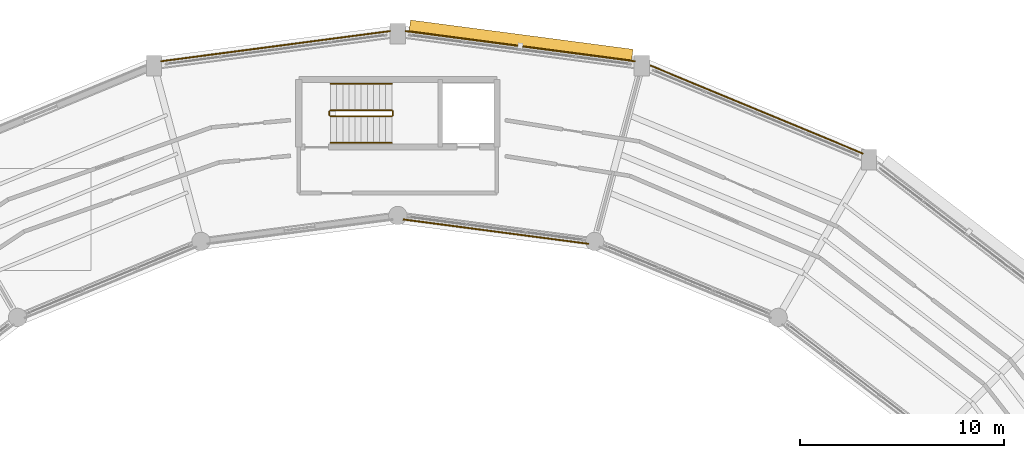
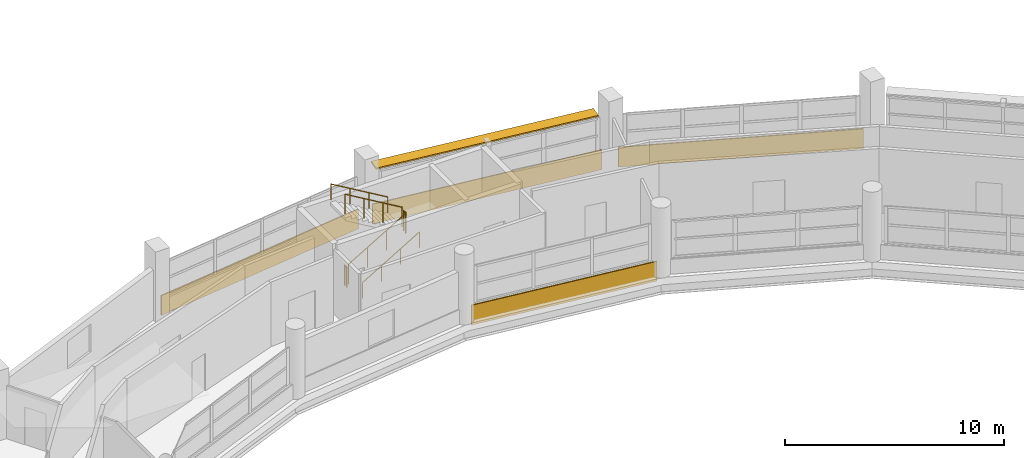
# One storey, part 106 of 108: 6 railings, 4 coverings, 1 shading device.
"""IFC4 building model written with IfcOpenShell, lengths in metres."""

from ifc_helpers import new_model, si_unit, direction, frame, frame_2d, origin, origin_2d, place, context, subcontext, project, spatial, rectangle, circle, extrude, material, layer, layer_set, type_object, element, save


model = new_model("IFC4")

# Units and contexts
model_context = context("Model", 3, precision=1e-05, world=origin(), true_north=direction((0.0, 1.0)))
body_context = subcontext(model_context, "Body", "Model", "MODEL_VIEW")
ifc_project = project(units=[si_unit("LENGTHUNIT", "METRE"), si_unit("AREAUNIT", "SQUARE_METRE"), si_unit("VOLUMEUNIT", "CUBIC_METRE"), si_unit("PLANEANGLEUNIT", "RADIAN"), si_unit("MASSUNIT", "GRAM", prefix="KILO")], contexts=[model_context])

# Site, building, storey
site_placement = place(None, origin())
site = spatial("IfcSite", under=ifc_project, at=site_placement, CompositionType="ELEMENT")
building_placement = place(site_placement, origin())
building = spatial("IfcBuilding", under=site, at=building_placement, Name="Vespera Passage Community Centre", CompositionType="ELEMENT")
storey_placement = place(building_placement, frame((0.0, 0.0, 12.60009765625)))
storey = spatial("IfcBuildingStorey", under=building, at=storey_placement, Name="L03", CompositionType="ELEMENT", Elevation=12.60009765625)

# Coverings
ifc_material_1 = material(Name="Precast concrete f'c 40 MPa", Category="concrete")
ifc_layer = layer(ifc_material_1, 0.06005859375)
ifc_layer_set = layer_set([ifc_layer], Name="Precast concrete f'c 40 MPa")
covering_type = type_object("IfcCoveringType", Name="COV-CLAD-60E", PredefinedType="CLADDING", material=ifc_layer_set)
covering_1_placement = place(storey_placement, frame((90.3486328125, 110.04052734375, -0.280029296875), z_axis=(0.0, 0.0, 1.0), x_axis=(0.923883530636, -0.382673779896, 0.0)))
element("IfcCovering", 1, at=covering_1_placement, inside=storey, type_object=covering_type, Name="V4 L03 Outer White Spandrel Band O4", PredefinedType="CLADDING", context=body_context, shape_type="SweptSolid", body=[
    extrude(rectangle(XDim=11.2724609375, YDim=0.06005859375, at=frame_2d((5.63623046875, 0.0))), origin(), (0.0, 0.0, 1.0), 1.099853515625),
])
covering_2_placement = place(storey_placement, frame((78.372314453125, 111.722412109375, -0.280029296875), z_axis=(0.0, 0.0, 1.0), x_axis=(0.991446004399, -0.130517509785, 0.0)))
element("IfcCovering", 2, at=covering_2_placement, inside=storey, type_object=covering_type, Name="V4 L03 Outer White Spandrel Band O5", PredefinedType="CLADDING", context=body_context, shape_type="SweptSolid", body=[
    extrude(rectangle(XDim=11.328125, YDim=0.06005859375, at=frame_2d((5.6640625, 0.0))), origin(), (0.0, 0.0, 1.0), 1.099853515625),
])
covering_3_placement = place(storey_placement, frame((87.332763671875, 101.31494140625, -0.280029296875), z_axis=(0.0, 0.0, 1.0), x_axis=(-0.99144567161, 0.13052003772, 0.0)))
element("IfcCovering", 3, at=covering_3_placement, inside=storey, type_object=covering_type, Name="V4 L03 Inner Court White Spandrel Band I5", PredefinedType="CLADDING", context=body_context, shape_type="SweptSolid", body=[
    extrude(rectangle(XDim=9.15625, YDim=0.06005859375, at=frame_2d((4.578125, 0.0))), origin(), (0.0, 0.0, 1.0), 1.099853515625),
])
covering_4_placement = place(storey_placement, frame((66.396484375, 110.243896484375, -0.280029296875), z_axis=(0.0, 0.0, 1.0), x_axis=(0.991446004399, 0.130517509785, 0.0)))
element("IfcCovering", 4, at=covering_4_placement, inside=storey, type_object=covering_type, Name="V4 L03 Outer White Spandrel Band O6", PredefinedType="CLADDING", context=body_context, shape_type="SweptSolid", body=[
    extrude(rectangle(XDim=11.328125, YDim=0.06005859375, at=frame_2d((5.6640625, 0.0))), origin(), (0.0, 0.0, 1.0), 1.099853515625),
])

# Railings
ifc_material_2 = material(Name="Steel ASTM A500 Grade C", Category="steel")
railing_type_1 = type_object("IfcRailingType", Name="RL-HAND-900I", PredefinedType="HANDRAIL", material=ifc_material_2)
railing_1_placement = place(storey_placement, frame((74.705078125, 106.25, 0.17724609375)))
element("IfcRailing", 5, at=railing_1_placement, inside=storey, type_object=railing_type_1, Name="L03 ST06 stair handrail 1", PredefinedType="HANDRAIL", context=body_context, shape_type="SweptSolid", body=[
    extrude(circle(Radius=0.02392578125, at=origin_2d()), frame((0.0, 0.0, 0.8759765625), z_axis=(0.86092931783, 0.0, 0.508724591208), x_axis=(0.0, 1.0, 0.0)), (0.0, 0.0, 1.0), 3.484619140625),
    extrude(circle(Radius=0.02099609375, at=origin_2d()), origin(), (0.0, 0.0, 1.0), 0.851806640625),
    extrude(circle(Radius=0.02099609375, at=origin_2d()), frame((1.0, 0.0, 0.5908203125)), (0.0, 0.0, 1.0), 0.851806640625),
    extrude(circle(Radius=0.02099609375, at=origin_2d()), frame((2.0, 0.0, 1.181884765625)), (0.0, 0.0, 1.0), 0.851806640625),
    extrude(circle(Radius=0.02099609375, at=origin_2d()), frame((3.0, 0.0, 1.772705078125)), (0.0, 0.0, 1.0), 0.851806640625),
])
railing_2_placement = place(storey_placement, frame((77.705078125, 109.14990234375, 2.127197265625)))
element("IfcRailing", 6, at=railing_2_placement, inside=storey, type_object=railing_type_1, Name="L03 ST06 stair handrail 2", PredefinedType="HANDRAIL", context=body_context, shape_type="SweptSolid", body=[
    extrude(circle(Radius=0.02392578125, at=origin_2d()), frame((0.0, 0.0, 0.8759765625), z_axis=(-0.86092931783, 0.0, 0.508724591208), x_axis=(0.0, -1.0, 0.0)), (0.0, 0.0, 1.0), 3.484619140625),
    extrude(circle(Radius=0.02099609375, at=origin_2d()), origin(), (0.0, 0.0, 1.0), 0.851806640625),
    extrude(circle(Radius=0.02099609375, at=origin_2d()), frame((-1.0, 0.0, 0.5908203125)), (0.0, 0.0, 1.0), 0.851806640625),
    extrude(circle(Radius=0.02099609375, at=origin_2d()), frame((-2.0, 0.0, 1.181884765625)), (0.0, 0.0, 1.0), 0.851806640625),
    extrude(circle(Radius=0.02099609375, at=origin_2d()), frame((-3.0, 0.0, 1.772705078125)), (0.0, 0.0, 1.0), 0.851806640625),
])
ifc_material_3 = material(Name="Steel ASTM A500 Grade C", Category="steel")
railing_type_2 = type_object("IfcRailingType", Name="RL-STAIR-1100I", PredefinedType="GUARDRAIL", material=ifc_material_3)
railing_3_placement = place(storey_placement, frame((74.705078125, 107.550048828125, 0.17724609375)))
element("IfcRailing", 7, at=railing_3_placement, inside=storey, type_object=railing_type_2, Name="L03 ST06 stair guard 1", PredefinedType="GUARDRAIL", context=body_context, shape_type="SweptSolid", body=[
    extrude(circle(Radius=0.02392578125, at=origin_2d()), frame((0.0, 0.0, 1.09619140625), z_axis=(0.86092931783, 0.0, 0.508724591208), x_axis=(0.0, 1.0, 0.0)), (0.0, 0.0, 1.0), 3.484619140625),
    extrude(circle(Radius=0.02099609375, at=origin_2d()), origin(), (0.0, 0.0, 1.0), 1.072021484375),
    extrude(circle(Radius=0.02099609375, at=origin_2d()), frame((1.0, 0.0, 0.5908203125)), (0.0, 0.0, 1.0), 1.072021484375),
    extrude(circle(Radius=0.02099609375, at=origin_2d()), frame((2.0, 0.0, 1.181884765625)), (0.0, 0.0, 1.0), 1.072021484375),
    extrude(circle(Radius=0.02099609375, at=origin_2d()), frame((3.0, 0.0, 1.772705078125)), (0.0, 0.0, 1.0), 1.072021484375),
])
railing_4_placement = place(storey_placement, frame((77.7548828125, 107.60009765625, 1.949951171875)))
element("IfcRailing", 8, at=railing_4_placement, inside=storey, type_object=railing_type_2, Name="L03 ST06 stair guard 2", PredefinedType="GUARDRAIL", context=body_context, shape_type="SweptSolid", body=[
    extrude(circle(Radius=0.02392578125, at=origin_2d()), frame((0.0, 0.0, 1.09619140625), z_axis=(0.0, 1.0, 0.0), x_axis=(-1.0, 0.0, 0.0)), (0.0, 0.0, 1.0), 0.199951171875),
    extrude(circle(Radius=0.02099609375, at=origin_2d()), origin(), (0.0, 0.0, 1.0), 1.072021484375),
    extrude(circle(Radius=0.02099609375, at=origin_2d()), frame((0.0, 0.199951171875, 0.0)), (0.0, 0.0, 1.0), 1.072021484375),
])
railing_5_placement = place(storey_placement, frame((77.705078125, 107.85009765625, 2.127197265625)))
element("IfcRailing", 9, at=railing_5_placement, inside=storey, type_object=railing_type_2, Name="L03 ST06 stair guard 3", PredefinedType="GUARDRAIL", context=body_context, shape_type="SweptSolid", body=[
    extrude(circle(Radius=0.02392578125, at=origin_2d()), frame((0.0, 0.0, 1.09619140625), z_axis=(-0.86092931783, 0.0, 0.508724591208), x_axis=(0.0, -1.0, 0.0)), (0.0, 0.0, 1.0), 3.484619140625),
    extrude(circle(Radius=0.02099609375, at=origin_2d()), origin(), (0.0, 0.0, 1.0), 1.072021484375),
    extrude(circle(Radius=0.02099609375, at=origin_2d()), frame((-1.0, 0.0, 0.5908203125)), (0.0, 0.0, 1.0), 1.072021484375),
    extrude(circle(Radius=0.02099609375, at=origin_2d()), frame((-2.0, 0.0, 1.181884765625)), (0.0, 0.0, 1.0), 1.072021484375),
    extrude(circle(Radius=0.02099609375, at=origin_2d()), frame((-3.0, 0.0, 1.772705078125)), (0.0, 0.0, 1.0), 1.072021484375),
])
railing_6_placement = place(storey_placement, frame((74.655029296875, 107.60009765625, 0.0)))
element("IfcRailing", 10, at=railing_6_placement, inside=storey, type_object=railing_type_2, Name="L03 ST06 stair guard 4", PredefinedType="GUARDRAIL", context=body_context, shape_type="SweptSolid", body=[
    extrude(circle(Radius=0.02392578125, at=origin_2d()), frame((0.0, 0.0, 1.09619140625), z_axis=(0.0, 1.0, 0.0), x_axis=(-1.0, 0.0, 0.0)), (0.0, 0.0, 1.0), 0.199951171875),
    extrude(circle(Radius=0.02099609375, at=origin_2d()), origin(), (0.0, 0.0, 1.0), 1.072021484375),
    extrude(circle(Radius=0.02099609375, at=origin_2d()), frame((0.0, 0.199951171875, 0.0)), (0.0, 0.0, 1.0), 1.072021484375),
])

# Shading device
ifc_material_4 = material(Name="Anodized aluminium 6063-T6", Category="aluminium")
shading_device_type = type_object("IfcShadingDeviceType", Name="SHD-EYEBROW", PredefinedType="JALOUSIE", material=ifc_material_4)
shading_device_placement = place(storey_placement, frame((84.023193359375, 111.250732421875, 2.70556640625), z_axis=(0.0, 0.0, 1.0), x_axis=(0.991444861374, -0.13052619222, 0.0)))
element("IfcShadingDevice", 11, at=shading_device_placement, inside=storey, type_object=shading_device_type, Name="V4 L03 Outer Solar Eyebrow 5", PredefinedType="JALOUSIE", context=body_context, shape_type="SweptSolid", body=[
    extrude(rectangle(XDim=10.97802734375, YDim=0.60009765625, at=origin_2d()), origin(), (0.0, 0.0, 1.0), 0.080078125),
])

save(model, "model.ifc")
